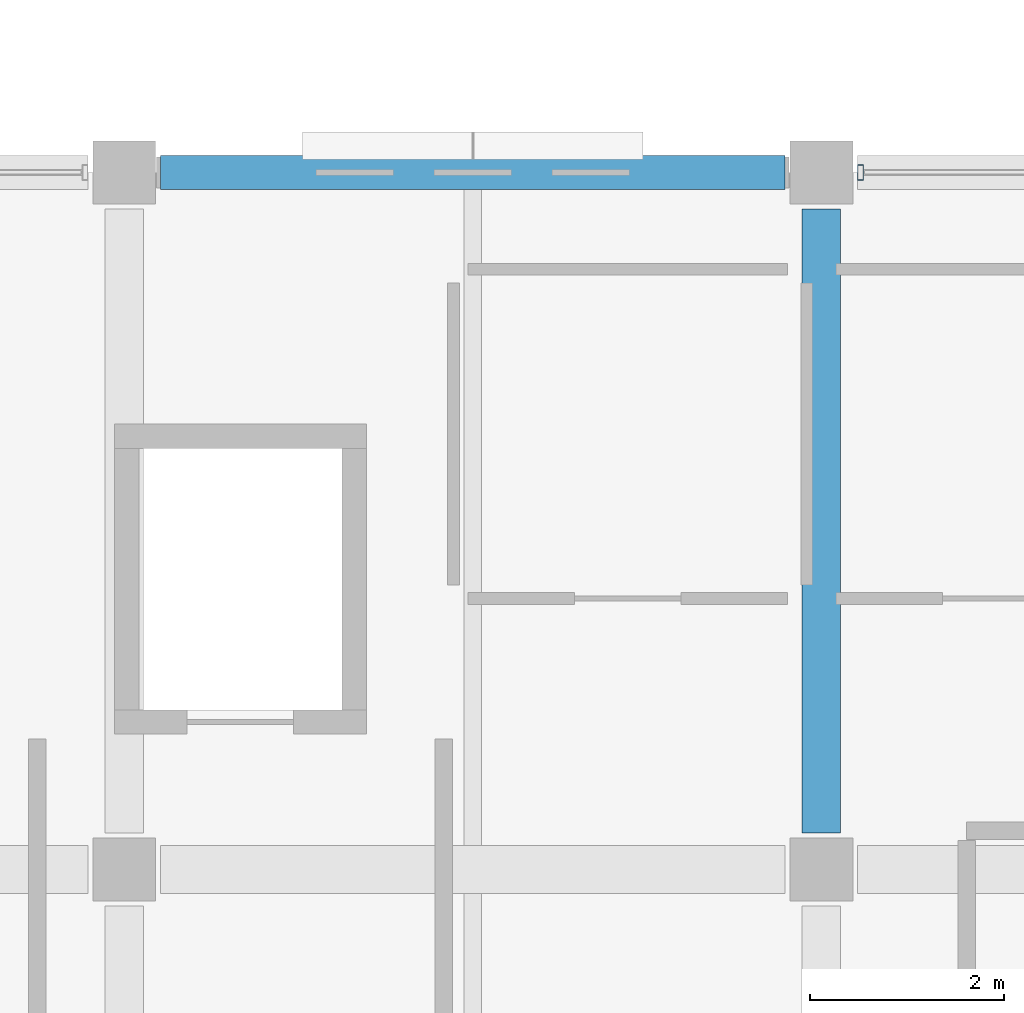
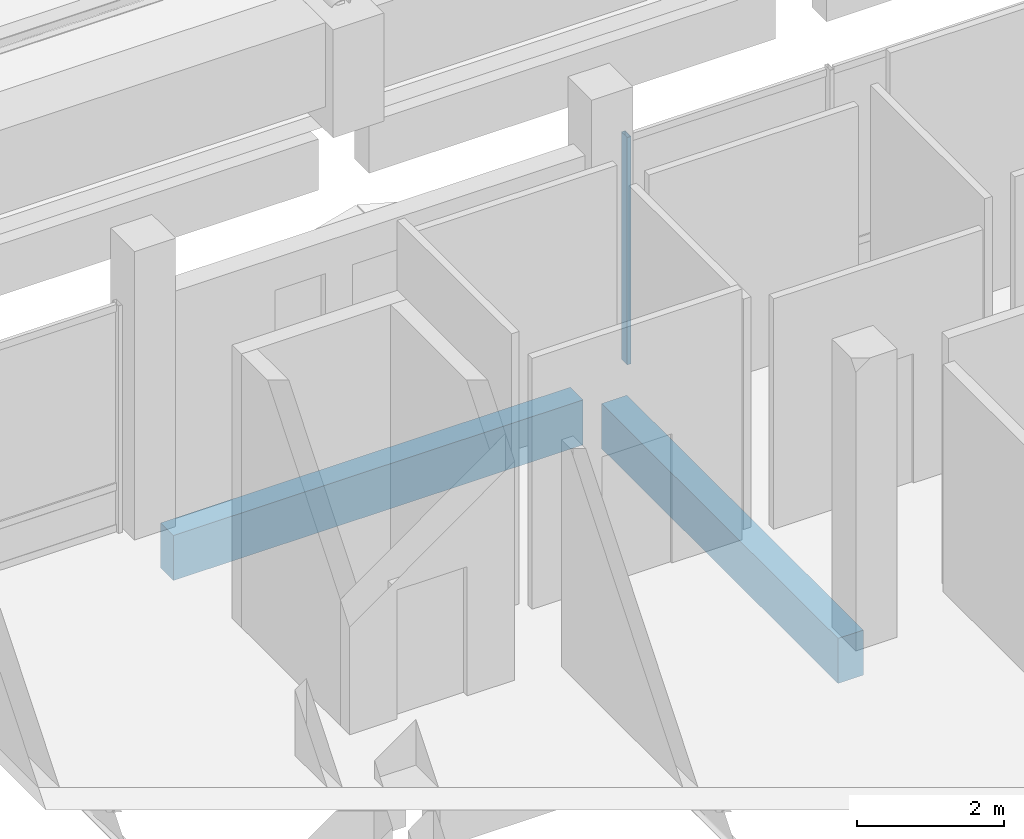
# One storey, part 34 of 116: 2 beams, 1 member, 1 element without a shape of its own.
"""IFC4 building model written with IfcOpenShell, lengths in metres."""

from ifc_helpers import new_model, si_unit, direction, frame, origin, origin_2d, place, context, subcontext, project, spatial, rectangle, hollow_rectangle, extrude, material, material_profile, profile_set, type_object, element, aggregate, save


model = new_model("IFC4")

# Units and contexts
model_context = context("Model", 3, precision=1e-05, world=origin(), true_north=direction((0.0, 1.0)))
body_context = subcontext(model_context, "Body", "Model", "MODEL_VIEW")
ifc_project = project(units=[si_unit("LENGTHUNIT", "METRE"), si_unit("AREAUNIT", "SQUARE_METRE"), si_unit("VOLUMEUNIT", "CUBIC_METRE"), si_unit("PLANEANGLEUNIT", "RADIAN"), si_unit("MASSUNIT", "GRAM", prefix="KILO")], contexts=[model_context])

# Site, building, storey
site_placement = place(None, origin())
site = spatial("IfcSite", under=ifc_project, at=site_placement, CompositionType="ELEMENT")
building_placement = place(site_placement, origin())
building = spatial("IfcBuilding", under=site, at=building_placement, Name="Cendralis Lancet Convention Centre", CompositionType="ELEMENT")
storey_placement = place(building_placement, frame((0.0, 0.0, 15.0)))
storey = spatial("IfcBuildingStorey", under=building, at=storey_placement, Name="L03", CompositionType="ELEMENT", Elevation=15.0)

# Curtain wall, member
ifc_material_1 = material(Name="Anodised bronze architectural aluminium", Category="aluminium")
curtain_wall_type = type_object("IfcCurtainWallType", Name="ARC-CW-CL02", PredefinedType="USERDEFINED", material=ifc_material_1)
curtain_wall_placement = place(storey_placement, origin())
curtain_wall = element("IfcCurtainWall", 1, at=curtain_wall_placement, inside=storey, type_object=curtain_wall_type, Name="L03 Curtain Wall CW-CL2 #190", ObjectType="CURTAIN WALL", PredefinedType="USERDEFINED")
ifc_material_profile_1 = material_profile(ifc_material_1, hollow_rectangle(XDim=0.06005859375, YDim=0.159912109375, WallThickness=0.00390625, at=origin_2d()), Name="AL-MULL 60x160x4.0")
ifc_profile_set_1 = profile_set([ifc_material_profile_1], Name="Anodised bronze architectural aluminium")
member_type = type_object("IfcMemberType", Name="ARC-CW-ML01", PredefinedType="MULLION", material=ifc_profile_set_1)
member_placement = place(storey_placement, frame((190.0048828125, 36.0, 0.0), z_axis=(0.0, 0.0, 1.0), x_axis=(1.0, 0.0, 0.0)))
member = element("IfcMember", 2, at=member_placement, type_object=member_type, Name="Mullion CW2-CW-CL2-L03-190-M0", PredefinedType="MULLION", context=body_context, shape_type="SweptSolid", body=[
    extrude(hollow_rectangle(XDim=0.06005859375, YDim=0.159912109375, WallThickness=0.00390625, at=origin_2d()), origin(), (0.0, 0.0, 1.0), 3.784912109375),
])
aggregate(curtain_wall, [member])

# Beams
ifc_material_2 = material(Name="Concrete G35 (C35/45)", Category="concrete")
ifc_material_profile_2 = material_profile(ifc_material_2, rectangle(XDim=0.39990234375, YDim=0.75, at=origin_2d()), Name="RCB 400x750")
ifc_profile_set_2 = profile_set([ifc_material_profile_2], Name="Concrete G35 (C35/45)")
beam_type_1 = type_object("IfcBeamType", Name="STR-BM-BG12", PredefinedType="BEAM", material=ifc_profile_set_2)
beam_1_placement = place(storey_placement, frame((189.60009765625, 29.175048828125, -0.635009765625), z_axis=(0.0, 1.0, 0.0), x_axis=(-1.0, 0.0, 0.0)))
element("IfcBeam", 3, at=beam_1_placement, inside=storey, type_object=beam_type_1, Name="L03 Beam BG12 #0462", PredefinedType="BEAM", context=body_context, shape_type="SweptSolid", body=[
    extrude(rectangle(XDim=0.39990234375, YDim=0.75, at=origin_2d()), origin(), (0.0, 0.0, 1.0), 6.449951171875),
])
ifc_material_3 = material(Name="Concrete G40 (C40/50)", Category="concrete")
ifc_material_profile_3 = material_profile(ifc_material_3, rectangle(XDim=0.35009765625, YDim=0.75, at=origin_2d()), Name="RCB 350x750")
ifc_profile_set_3 = profile_set([ifc_material_profile_3], Name="Concrete G40 (C40/50)")
beam_type_2 = type_object("IfcBeamType", Name="STR-SP-SP01", PredefinedType="SPANDREL", material=ifc_profile_set_3)
beam_2_placement = place(storey_placement, frame((182.77490234375, 36.0, -0.635009765625), z_axis=(1.0, 0.0, 0.0), x_axis=(0.0, 1.0, 0.0)))
element("IfcBeam", 4, at=beam_2_placement, inside=storey, type_object=beam_type_2, Name="L03 Beam SP01 #0426", PredefinedType="SPANDREL", context=body_context, shape_type="SweptSolid", body=[
    extrude(rectangle(XDim=0.35009765625, YDim=0.75, at=origin_2d()), origin(), (0.0, 0.0, 1.0), 6.4501953125),
])

save(model, "model.ifc")
